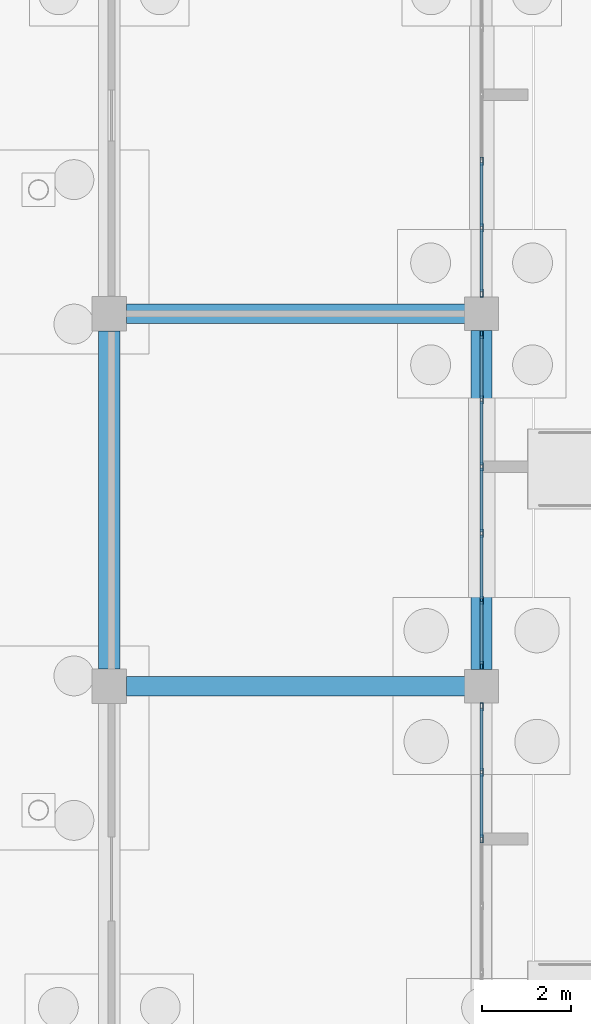
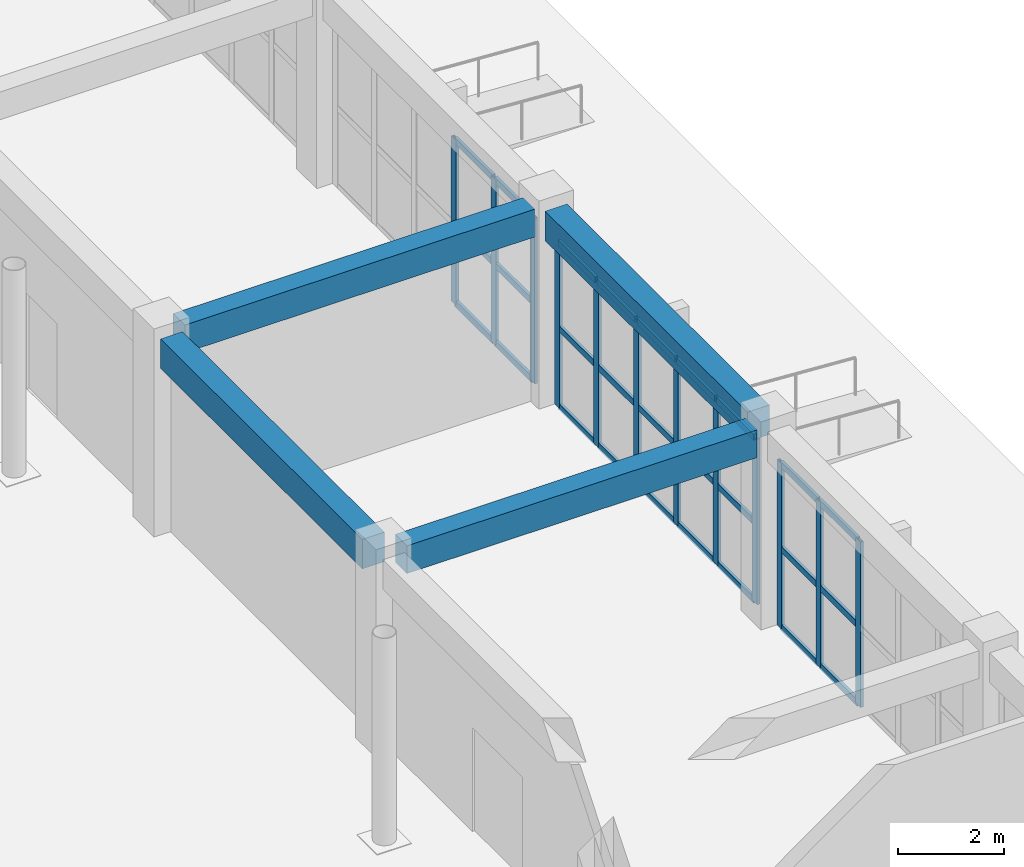
# One storey, part 129 of 192: 39 members, 4 beams, 3 elements without a shape of their own.
"""IFC4 building model written with IfcOpenShell, lengths in metres."""

from ifc_helpers import new_model, si_unit, direction, frame, origin, origin_2d, place, context, subcontext, project, spatial, rectangle, hollow_rectangle, extrude, material, layer, layer_set, material_profile, profile_set, type_object, element, aggregate, save


model = new_model("IFC4")

# Units and contexts
model_context = context("Model", 3, precision=1e-05, world=origin(), true_north=direction((0.0, 1.0)))
body_context = subcontext(model_context, "Body", "Model", "MODEL_VIEW")
ifc_project = project(units=[si_unit("LENGTHUNIT", "METRE"), si_unit("AREAUNIT", "SQUARE_METRE"), si_unit("VOLUMEUNIT", "CUBIC_METRE"), si_unit("PLANEANGLEUNIT", "RADIAN"), si_unit("MASSUNIT", "GRAM", prefix="KILO")], contexts=[model_context])

# Site, building, storey
site_placement = place(None, origin())
site = spatial("IfcSite", under=ifc_project, at=site_placement, CompositionType="ELEMENT")
building_placement = place(site_placement, origin())
building = spatial("IfcBuilding", under=site, at=building_placement, Name="Trelvath General Hospital", CompositionType="ELEMENT")
storey_placement = place(building_placement, origin())
storey = spatial("IfcBuildingStorey", under=building, at=storey_placement, Name="L00", CompositionType="ELEMENT", Elevation=0.0)

# Beams
ifc_material_1 = material(Name="Concrete C35/45", Category="concrete")
ifc_material_profile_1 = material_profile(ifc_material_1, rectangle(XDim=0.43994140625, YDim=0.639892578125, at=origin_2d()), Name="RCB440x640")
ifc_profile_set_1 = profile_set([ifc_material_profile_1], Name="Concrete C35/45")
beam_type_1 = type_object("IfcBeamType", Name="Beam RC440x640", PredefinedType="BEAM", material=ifc_profile_set_1)
for number, where, z_axis, x_axis, name in (
    (1, (176.784912109375, 42.0, 4.199951171875), (1.0, 0.0, 0.0), (0.0, 1.0, 0.0), "Grid Beam BX-021F"),
    (2, (176.784912109375, 50.39990234375, 4.199951171875), (1.0, 0.0, 0.0), (0.0, 1.0, 0.0), "Grid Beam BX-021G"),
):
    element("IfcBeam", number, at=place(storey_placement, frame(where, z_axis=z_axis, x_axis=x_axis)), inside=storey, type_object=beam_type_1, Name=name, PredefinedType="BEAM", context=body_context, shape_type="SweptSolid", body=[
        extrude(rectangle(XDim=0.43994140625, YDim=0.639892578125, at=origin_2d()), origin(), (0.0, 0.0, 1.0), 7.64013671875),
    ])
ifc_material_2 = material(Name="Concrete C35/45", Category="concrete")
ifc_material_profile_2 = material_profile(ifc_material_2, rectangle(XDim=0.47998046875, YDim=0.679931640625, at=origin_2d()), Name="RCB480x680")
ifc_profile_set_2 = profile_set([ifc_material_profile_2], Name="Concrete C35/45")
beam_type_2 = type_object("IfcBeamType", Name="Beam RC480x680", PredefinedType="BEAM", material=ifc_profile_set_2)
beam_1_placement = place(storey_placement, frame((176.39990234375, 42.385009765625, 4.179931640625), z_axis=(0.0, 1.0, 0.0), x_axis=(-1.0, 0.0, 0.0)))
element("IfcBeam", 3, at=beam_1_placement, inside=storey, type_object=beam_type_2, Name="Grid Beam BY-021F", PredefinedType="BEAM", context=body_context, shape_type="SweptSolid", body=[
    extrude(rectangle(XDim=0.47998046875, YDim=0.679931640625, at=origin_2d()), origin(), (0.0, 0.0, 1.0), 7.6298828125),
])
beam_2_placement = place(storey_placement, frame((184.800048828125, 42.375, 4.179931640625), z_axis=(0.0, 1.0, 0.0), x_axis=(-1.0, 0.0, 0.0)))
element("IfcBeam", 4, at=beam_2_placement, inside=storey, type_object=beam_type_2, Name="Grid Beam BY-022F", PredefinedType="BEAM", context=body_context, shape_type="SweptSolid", body=[
    extrude(rectangle(XDim=0.47998046875, YDim=0.679931640625, at=origin_2d()), origin(), (0.0, 0.0, 1.0), 7.64990234375),
])

# Curtain wall, members
ifc_material_3 = material(Name="Anodised aluminium and low-E glass", Category="aluminium")
ifc_layer = layer(ifc_material_3, 0.179931640625)
ifc_layer_set = layer_set([ifc_layer], Name="Anodised aluminium and low-E glass")
curtain_wall_type = type_object("IfcCurtainWallType", Name="CW Facade 753 382 18", PredefinedType="USERDEFINED", material=ifc_layer_set)
curtain_wall_1_placement = place(storey_placement, origin())
curtain_wall_1 = element("IfcCurtainWall", 5, at=curtain_wall_1_placement, inside=storey, type_object=curtain_wall_type, Name="Facade Curtain Wall CW-010", ObjectType="Unitised Glazed Curtain Wall", PredefinedType="USERDEFINED")
ifc_material_4 = material(Name="Anodised aluminium", Category="aluminium")
ifc_material_profile_3 = material_profile(ifc_material_4, hollow_rectangle(XDim=0.06494140625, YDim=0.179931640625, WallThickness=0.0048828125, at=origin_2d()), Name="RHS65x180x5")
ifc_profile_set_3 = profile_set([ifc_material_profile_3], Name="Anodised aluminium")
member_type_1 = type_object("IfcMemberType", Name="CurtainMullion 65x180", PredefinedType="MULLION", material=ifc_profile_set_3)
member_1_placement = place(storey_placement, frame((184.800048828125, 41.532470703125, 0.0), z_axis=(0.0, 0.0, 1.0), x_axis=(1.0, 0.0, 0.0)))
member_1 = element("IfcMember", 6, at=member_1_placement, type_object=member_type_1, Name="CW-010 mullion 1", PredefinedType="MULLION", context=body_context, shape_type="SweptSolid", body=[
    extrude(hollow_rectangle(XDim=0.06494140625, YDim=0.179931640625, WallThickness=0.0048828125, at=origin_2d()), origin(), (0.0, 0.0, 1.0), 3.820068359375),
])
member_2_placement = place(storey_placement, frame((184.800048828125, 40.05908203125, 0.0), z_axis=(0.0, 0.0, 1.0), x_axis=(1.0, 0.0, 0.0)))
member_2 = element("IfcMember", 7, at=member_2_placement, type_object=member_type_1, Name="CW-010 mullion 2", PredefinedType="MULLION", context=body_context, shape_type="SweptSolid", body=[
    extrude(hollow_rectangle(XDim=0.06494140625, YDim=0.179931640625, WallThickness=0.0048828125, at=origin_2d()), origin(), (0.0, 0.0, 1.0), 3.820068359375),
])
member_3_placement = place(storey_placement, frame((184.800048828125, 38.552978515625, 0.0), z_axis=(0.0, 0.0, 1.0), x_axis=(1.0, 0.0, 0.0)))
member_3 = element("IfcMember", 8, at=member_3_placement, type_object=member_type_1, Name="CW-010 mullion 3", PredefinedType="MULLION", context=body_context, shape_type="SweptSolid", body=[
    extrude(hollow_rectangle(XDim=0.06494140625, YDim=0.179931640625, WallThickness=0.0048828125, at=origin_2d()), origin(), (0.0, 0.0, 1.0), 3.820068359375),
])

curtain_wall_2_placement = place(storey_placement, origin())
curtain_wall_2 = element("IfcCurtainWall", 9, at=curtain_wall_2_placement, inside=storey, type_object=curtain_wall_type, Name="Facade Curtain Wall CW-011", ObjectType="Unitised Glazed Curtain Wall", PredefinedType="USERDEFINED")
member_4_placement = place(storey_placement, frame((184.800048828125, 49.9326171875, 0.0), z_axis=(0.0, 0.0, 1.0), x_axis=(1.0, 0.0, 0.0)))
member_4 = element("IfcMember", 10, at=member_4_placement, type_object=member_type_1, Name="CW-011 mullion 1", PredefinedType="MULLION", context=body_context, shape_type="SweptSolid", body=[
    extrude(hollow_rectangle(XDim=0.06494140625, YDim=0.179931640625, WallThickness=0.0048828125, at=origin_2d()), origin(), (0.0, 0.0, 1.0), 3.820068359375),
])
member_5_placement = place(storey_placement, frame((184.800048828125, 48.458984375, 0.0), z_axis=(0.0, 0.0, 1.0), x_axis=(1.0, 0.0, 0.0)))
member_5 = element("IfcMember", 11, at=member_5_placement, type_object=member_type_1, Name="CW-011 mullion 2", PredefinedType="MULLION", context=body_context, shape_type="SweptSolid", body=[
    extrude(hollow_rectangle(XDim=0.06494140625, YDim=0.179931640625, WallThickness=0.0048828125, at=origin_2d()), origin(), (0.0, 0.0, 1.0), 3.820068359375),
])
member_6_placement = place(storey_placement, frame((184.800048828125, 46.952880859375, 0.0), z_axis=(0.0, 0.0, 1.0), x_axis=(1.0, 0.0, 0.0)))
member_6 = element("IfcMember", 12, at=member_6_placement, type_object=member_type_1, Name="CW-011 mullion 3", PredefinedType="MULLION", context=body_context, shape_type="SweptSolid", body=[
    extrude(hollow_rectangle(XDim=0.06494140625, YDim=0.179931640625, WallThickness=0.0048828125, at=origin_2d()), origin(), (0.0, 0.0, 1.0), 3.820068359375),
])
member_7_placement = place(storey_placement, frame((184.800048828125, 45.447021484375, 0.0), z_axis=(0.0, 0.0, 1.0), x_axis=(1.0, 0.0, 0.0)))
member_7 = element("IfcMember", 13, at=member_7_placement, type_object=member_type_1, Name="CW-011 mullion 4", PredefinedType="MULLION", context=body_context, shape_type="SweptSolid", body=[
    extrude(hollow_rectangle(XDim=0.06494140625, YDim=0.179931640625, WallThickness=0.0048828125, at=origin_2d()), origin(), (0.0, 0.0, 1.0), 3.820068359375),
])
member_8_placement = place(storey_placement, frame((184.800048828125, 43.94091796875, 0.0), z_axis=(0.0, 0.0, 1.0), x_axis=(1.0, 0.0, 0.0)))
member_8 = element("IfcMember", 14, at=member_8_placement, type_object=member_type_1, Name="CW-011 mullion 5", PredefinedType="MULLION", context=body_context, shape_type="SweptSolid", body=[
    extrude(hollow_rectangle(XDim=0.06494140625, YDim=0.179931640625, WallThickness=0.0048828125, at=origin_2d()), origin(), (0.0, 0.0, 1.0), 3.820068359375),
])
member_9_placement = place(storey_placement, frame((184.800048828125, 42.467529296875, 0.0), z_axis=(0.0, 0.0, 1.0), x_axis=(1.0, 0.0, 0.0)))
member_9 = element("IfcMember", 15, at=member_9_placement, type_object=member_type_1, Name="CW-011 mullion 6", PredefinedType="MULLION", context=body_context, shape_type="SweptSolid", body=[
    extrude(hollow_rectangle(XDim=0.06494140625, YDim=0.179931640625, WallThickness=0.0048828125, at=origin_2d()), origin(), (0.0, 0.0, 1.0), 3.820068359375),
])

curtain_wall_3_placement = place(storey_placement, origin())
curtain_wall_3 = element("IfcCurtainWall", 16, at=curtain_wall_3_placement, inside=storey, type_object=curtain_wall_type, Name="Facade Curtain Wall CW-012", ObjectType="Unitised Glazed Curtain Wall", PredefinedType="USERDEFINED")
member_10_placement = place(storey_placement, frame((184.800048828125, 53.846923828125, 0.0), z_axis=(0.0, 0.0, 1.0), x_axis=(1.0, 0.0, 0.0)))
member_10 = element("IfcMember", 17, at=member_10_placement, type_object=member_type_1, Name="CW-012 mullion 4", PredefinedType="MULLION", context=body_context, shape_type="SweptSolid", body=[
    extrude(hollow_rectangle(XDim=0.06494140625, YDim=0.179931640625, WallThickness=0.0048828125, at=origin_2d()), origin(), (0.0, 0.0, 1.0), 3.820068359375),
])
member_11_placement = place(storey_placement, frame((184.800048828125, 52.341064453125, 0.0), z_axis=(0.0, 0.0, 1.0), x_axis=(1.0, 0.0, 0.0)))
member_11 = element("IfcMember", 18, at=member_11_placement, type_object=member_type_1, Name="CW-012 mullion 5", PredefinedType="MULLION", context=body_context, shape_type="SweptSolid", body=[
    extrude(hollow_rectangle(XDim=0.06494140625, YDim=0.179931640625, WallThickness=0.0048828125, at=origin_2d()), origin(), (0.0, 0.0, 1.0), 3.820068359375),
])
member_12_placement = place(storey_placement, frame((184.800048828125, 50.867431640625, 0.0), z_axis=(0.0, 0.0, 1.0), x_axis=(1.0, 0.0, 0.0)))
member_12 = element("IfcMember", 19, at=member_12_placement, type_object=member_type_1, Name="CW-012 mullion 6", PredefinedType="MULLION", context=body_context, shape_type="SweptSolid", body=[
    extrude(hollow_rectangle(XDim=0.06494140625, YDim=0.179931640625, WallThickness=0.0048828125, at=origin_2d()), origin(), (0.0, 0.0, 1.0), 3.820068359375),
])

# Member
ifc_material_5 = material(Name="Anodised aluminium", Category="aluminium")
ifc_material_profile_4 = material_profile(ifc_material_5, hollow_rectangle(XDim=0.06494140625, YDim=0.14501953125, WallThickness=0.00390625, at=origin_2d()), Name="RHS65x145x4")
ifc_profile_set_4 = profile_set([ifc_material_profile_4], Name="Anodised aluminium")
member_type_2 = type_object("IfcMemberType", Name="CurtainTransom 65x145", PredefinedType="USERDEFINED", material=ifc_profile_set_4)
member_13_placement = place(storey_placement, frame((184.800048828125, 41.5, 0.032470703125), z_axis=(0.0, -1.0, 0.0), x_axis=(1.0, 0.0, 0.0)))
member_13 = element("IfcMember", 20, at=member_13_placement, type_object=member_type_2, Name="CW-010 transom 1.1", ObjectType="TRANSOM", PredefinedType="USERDEFINED", context=body_context, shape_type="SweptSolid", body=[
    extrude(hollow_rectangle(XDim=0.06494140625, YDim=0.14501953125, WallThickness=0.00390625, at=origin_2d()), origin(), (0.0, 0.0, 1.0), 1.408447265625),
])

member_14_placement = place(storey_placement, frame((184.800048828125, 41.5, 1.833984375), z_axis=(0.0, -1.0, 0.0), x_axis=(1.0, 0.0, 0.0)))
member_14 = element("IfcMember", 21, at=member_14_placement, type_object=member_type_2, Name="CW-010 transom 1.2", ObjectType="TRANSOM", PredefinedType="USERDEFINED", context=body_context, shape_type="SweptSolid", body=[
    extrude(hollow_rectangle(XDim=0.06494140625, YDim=0.14501953125, WallThickness=0.00390625, at=origin_2d()), origin(), (0.0, 0.0, 1.0), 1.408447265625),
])

member_15_placement = place(storey_placement, frame((184.800048828125, 41.5, 3.78759765625), z_axis=(0.0, -1.0, 0.0), x_axis=(1.0, 0.0, 0.0)))
member_15 = element("IfcMember", 22, at=member_15_placement, type_object=member_type_2, Name="CW-010 transom 1.3", ObjectType="TRANSOM", PredefinedType="USERDEFINED", context=body_context, shape_type="SweptSolid", body=[
    extrude(hollow_rectangle(XDim=0.06494140625, YDim=0.14501953125, WallThickness=0.00390625, at=origin_2d()), origin(), (0.0, 0.0, 1.0), 1.408447265625),
])

member_16_placement = place(storey_placement, frame((184.800048828125, 40.026611328125, 0.032470703125), z_axis=(0.0, -1.0, 0.0), x_axis=(1.0, 0.0, 0.0)))
member_16 = element("IfcMember", 23, at=member_16_placement, type_object=member_type_2, Name="CW-010 transom 2.1", ObjectType="TRANSOM", PredefinedType="USERDEFINED", context=body_context, shape_type="SweptSolid", body=[
    extrude(hollow_rectangle(XDim=0.06494140625, YDim=0.14501953125, WallThickness=0.00390625, at=origin_2d()), origin(), (0.0, 0.0, 1.0), 1.441162109375),
])

member_17_placement = place(storey_placement, frame((184.800048828125, 40.026611328125, 1.833984375), z_axis=(0.0, -1.0, 0.0), x_axis=(1.0, 0.0, 0.0)))
member_17 = element("IfcMember", 24, at=member_17_placement, type_object=member_type_2, Name="CW-010 transom 2.2", ObjectType="TRANSOM", PredefinedType="USERDEFINED", context=body_context, shape_type="SweptSolid", body=[
    extrude(hollow_rectangle(XDim=0.06494140625, YDim=0.14501953125, WallThickness=0.00390625, at=origin_2d()), origin(), (0.0, 0.0, 1.0), 1.441162109375),
])

member_18_placement = place(storey_placement, frame((184.800048828125, 40.026611328125, 3.78759765625), z_axis=(0.0, -1.0, 0.0), x_axis=(1.0, 0.0, 0.0)))
member_18 = element("IfcMember", 25, at=member_18_placement, type_object=member_type_2, Name="CW-010 transom 2.3", ObjectType="TRANSOM", PredefinedType="USERDEFINED", context=body_context, shape_type="SweptSolid", body=[
    extrude(hollow_rectangle(XDim=0.06494140625, YDim=0.14501953125, WallThickness=0.00390625, at=origin_2d()), origin(), (0.0, 0.0, 1.0), 1.441162109375),
])

aggregate(curtain_wall_1, [member_1, member_2, member_3, member_13, member_14, member_15, member_16, member_17, member_18])

member_19_placement = place(storey_placement, frame((184.800048828125, 49.89990234375, 0.032470703125), z_axis=(0.0, -1.0, 0.0), x_axis=(1.0, 0.0, 0.0)))
member_19 = element("IfcMember", 26, at=member_19_placement, type_object=member_type_2, Name="CW-011 transom 1.1", ObjectType="TRANSOM", PredefinedType="USERDEFINED", context=body_context, shape_type="SweptSolid", body=[
    extrude(hollow_rectangle(XDim=0.06494140625, YDim=0.14501953125, WallThickness=0.00390625, at=origin_2d()), origin(), (0.0, 0.0, 1.0), 1.408447265625),
])

member_20_placement = place(storey_placement, frame((184.800048828125, 49.89990234375, 1.833984375), z_axis=(0.0, -1.0, 0.0), x_axis=(1.0, 0.0, 0.0)))
member_20 = element("IfcMember", 27, at=member_20_placement, type_object=member_type_2, Name="CW-011 transom 1.2", ObjectType="TRANSOM", PredefinedType="USERDEFINED", context=body_context, shape_type="SweptSolid", body=[
    extrude(hollow_rectangle(XDim=0.06494140625, YDim=0.14501953125, WallThickness=0.00390625, at=origin_2d()), origin(), (0.0, 0.0, 1.0), 1.408447265625),
])

member_21_placement = place(storey_placement, frame((184.800048828125, 49.89990234375, 3.78759765625), z_axis=(0.0, -1.0, 0.0), x_axis=(1.0, 0.0, 0.0)))
member_21 = element("IfcMember", 28, at=member_21_placement, type_object=member_type_2, Name="CW-011 transom 1.3", ObjectType="TRANSOM", PredefinedType="USERDEFINED", context=body_context, shape_type="SweptSolid", body=[
    extrude(hollow_rectangle(XDim=0.06494140625, YDim=0.14501953125, WallThickness=0.00390625, at=origin_2d()), origin(), (0.0, 0.0, 1.0), 1.408447265625),
])

member_22_placement = place(storey_placement, frame((184.800048828125, 48.426513671875, 0.032470703125), z_axis=(0.0, -1.0, 0.0), x_axis=(1.0, 0.0, 0.0)))
member_22 = element("IfcMember", 29, at=member_22_placement, type_object=member_type_2, Name="CW-011 transom 2.1", ObjectType="TRANSOM", PredefinedType="USERDEFINED", context=body_context, shape_type="SweptSolid", body=[
    extrude(hollow_rectangle(XDim=0.06494140625, YDim=0.14501953125, WallThickness=0.00390625, at=origin_2d()), origin(), (0.0, 0.0, 1.0), 1.44091796875),
])

member_23_placement = place(storey_placement, frame((184.800048828125, 48.426513671875, 1.833984375), z_axis=(0.0, -1.0, 0.0), x_axis=(1.0, 0.0, 0.0)))
member_23 = element("IfcMember", 30, at=member_23_placement, type_object=member_type_2, Name="CW-011 transom 2.2", ObjectType="TRANSOM", PredefinedType="USERDEFINED", context=body_context, shape_type="SweptSolid", body=[
    extrude(hollow_rectangle(XDim=0.06494140625, YDim=0.14501953125, WallThickness=0.00390625, at=origin_2d()), origin(), (0.0, 0.0, 1.0), 1.44091796875),
])

member_24_placement = place(storey_placement, frame((184.800048828125, 48.426513671875, 3.78759765625), z_axis=(0.0, -1.0, 0.0), x_axis=(1.0, 0.0, 0.0)))
member_24 = element("IfcMember", 31, at=member_24_placement, type_object=member_type_2, Name="CW-011 transom 2.3", ObjectType="TRANSOM", PredefinedType="USERDEFINED", context=body_context, shape_type="SweptSolid", body=[
    extrude(hollow_rectangle(XDim=0.06494140625, YDim=0.14501953125, WallThickness=0.00390625, at=origin_2d()), origin(), (0.0, 0.0, 1.0), 1.44091796875),
])

member_25_placement = place(storey_placement, frame((184.800048828125, 46.92041015625, 0.032470703125), z_axis=(0.0, -1.0, 0.0), x_axis=(1.0, 0.0, 0.0)))
member_25 = element("IfcMember", 32, at=member_25_placement, type_object=member_type_2, Name="CW-011 transom 3.1", ObjectType="TRANSOM", PredefinedType="USERDEFINED", context=body_context, shape_type="SweptSolid", body=[
    extrude(hollow_rectangle(XDim=0.06494140625, YDim=0.14501953125, WallThickness=0.00390625, at=origin_2d()), origin(), (0.0, 0.0, 1.0), 1.44091796875),
])

member_26_placement = place(storey_placement, frame((184.800048828125, 46.92041015625, 1.833984375), z_axis=(0.0, -1.0, 0.0), x_axis=(1.0, 0.0, 0.0)))
member_26 = element("IfcMember", 33, at=member_26_placement, type_object=member_type_2, Name="CW-011 transom 3.2", ObjectType="TRANSOM", PredefinedType="USERDEFINED", context=body_context, shape_type="SweptSolid", body=[
    extrude(hollow_rectangle(XDim=0.06494140625, YDim=0.14501953125, WallThickness=0.00390625, at=origin_2d()), origin(), (0.0, 0.0, 1.0), 1.44091796875),
])

member_27_placement = place(storey_placement, frame((184.800048828125, 46.92041015625, 3.78759765625), z_axis=(0.0, -1.0, 0.0), x_axis=(1.0, 0.0, 0.0)))
member_27 = element("IfcMember", 34, at=member_27_placement, type_object=member_type_2, Name="CW-011 transom 3.3", ObjectType="TRANSOM", PredefinedType="USERDEFINED", context=body_context, shape_type="SweptSolid", body=[
    extrude(hollow_rectangle(XDim=0.06494140625, YDim=0.14501953125, WallThickness=0.00390625, at=origin_2d()), origin(), (0.0, 0.0, 1.0), 1.44091796875),
])

member_28_placement = place(storey_placement, frame((184.800048828125, 45.41455078125, 0.032470703125), z_axis=(0.0, -1.0, 0.0), x_axis=(1.0, 0.0, 0.0)))
member_28 = element("IfcMember", 35, at=member_28_placement, type_object=member_type_2, Name="CW-011 transom 4.1", ObjectType="TRANSOM", PredefinedType="USERDEFINED", context=body_context, shape_type="SweptSolid", body=[
    extrude(hollow_rectangle(XDim=0.06494140625, YDim=0.14501953125, WallThickness=0.00390625, at=origin_2d()), origin(), (0.0, 0.0, 1.0), 1.441162109375),
])

member_29_placement = place(storey_placement, frame((184.800048828125, 45.41455078125, 1.833984375), z_axis=(0.0, -1.0, 0.0), x_axis=(1.0, 0.0, 0.0)))
member_29 = element("IfcMember", 36, at=member_29_placement, type_object=member_type_2, Name="CW-011 transom 4.2", ObjectType="TRANSOM", PredefinedType="USERDEFINED", context=body_context, shape_type="SweptSolid", body=[
    extrude(hollow_rectangle(XDim=0.06494140625, YDim=0.14501953125, WallThickness=0.00390625, at=origin_2d()), origin(), (0.0, 0.0, 1.0), 1.441162109375),
])

member_30_placement = place(storey_placement, frame((184.800048828125, 45.41455078125, 3.78759765625), z_axis=(0.0, -1.0, 0.0), x_axis=(1.0, 0.0, 0.0)))
member_30 = element("IfcMember", 37, at=member_30_placement, type_object=member_type_2, Name="CW-011 transom 4.3", ObjectType="TRANSOM", PredefinedType="USERDEFINED", context=body_context, shape_type="SweptSolid", body=[
    extrude(hollow_rectangle(XDim=0.06494140625, YDim=0.14501953125, WallThickness=0.00390625, at=origin_2d()), origin(), (0.0, 0.0, 1.0), 1.441162109375),
])

member_31_placement = place(storey_placement, frame((184.800048828125, 43.908447265625, 0.032470703125), z_axis=(0.0, -1.0, 0.0), x_axis=(1.0, 0.0, 0.0)))
member_31 = element("IfcMember", 38, at=member_31_placement, type_object=member_type_2, Name="CW-011 transom 5.1", ObjectType="TRANSOM", PredefinedType="USERDEFINED", context=body_context, shape_type="SweptSolid", body=[
    extrude(hollow_rectangle(XDim=0.06494140625, YDim=0.14501953125, WallThickness=0.00390625, at=origin_2d()), origin(), (0.0, 0.0, 1.0), 1.408447265625),
])

member_32_placement = place(storey_placement, frame((184.800048828125, 43.908447265625, 1.833984375), z_axis=(0.0, -1.0, 0.0), x_axis=(1.0, 0.0, 0.0)))
member_32 = element("IfcMember", 39, at=member_32_placement, type_object=member_type_2, Name="CW-011 transom 5.2", ObjectType="TRANSOM", PredefinedType="USERDEFINED", context=body_context, shape_type="SweptSolid", body=[
    extrude(hollow_rectangle(XDim=0.06494140625, YDim=0.14501953125, WallThickness=0.00390625, at=origin_2d()), origin(), (0.0, 0.0, 1.0), 1.408447265625),
])

member_33_placement = place(storey_placement, frame((184.800048828125, 43.908447265625, 3.78759765625), z_axis=(0.0, -1.0, 0.0), x_axis=(1.0, 0.0, 0.0)))
member_33 = element("IfcMember", 40, at=member_33_placement, type_object=member_type_2, Name="CW-011 transom 5.3", ObjectType="TRANSOM", PredefinedType="USERDEFINED", context=body_context, shape_type="SweptSolid", body=[
    extrude(hollow_rectangle(XDim=0.06494140625, YDim=0.14501953125, WallThickness=0.00390625, at=origin_2d()), origin(), (0.0, 0.0, 1.0), 1.408447265625),
])

aggregate(curtain_wall_2, [member_4, member_5, member_6, member_7, member_8, member_9, member_19, member_20, member_21, member_22, member_23, member_24, member_25, member_26, member_27, member_28, member_29, member_30, member_31, member_32, member_33])

member_34_placement = place(storey_placement, frame((184.800048828125, 53.814453125, 0.032470703125), z_axis=(0.0, -1.0, 0.0), x_axis=(1.0, 0.0, 0.0)))
member_34 = element("IfcMember", 41, at=member_34_placement, type_object=member_type_2, Name="CW-012 transom 4.1", ObjectType="TRANSOM", PredefinedType="USERDEFINED", context=body_context, shape_type="SweptSolid", body=[
    extrude(hollow_rectangle(XDim=0.06494140625, YDim=0.14501953125, WallThickness=0.00390625, at=origin_2d()), origin(), (0.0, 0.0, 1.0), 1.44091796875),
])

member_35_placement = place(storey_placement, frame((184.800048828125, 53.814453125, 1.833984375), z_axis=(0.0, -1.0, 0.0), x_axis=(1.0, 0.0, 0.0)))
member_35 = element("IfcMember", 42, at=member_35_placement, type_object=member_type_2, Name="CW-012 transom 4.2", ObjectType="TRANSOM", PredefinedType="USERDEFINED", context=body_context, shape_type="SweptSolid", body=[
    extrude(hollow_rectangle(XDim=0.06494140625, YDim=0.14501953125, WallThickness=0.00390625, at=origin_2d()), origin(), (0.0, 0.0, 1.0), 1.44091796875),
])

member_36_placement = place(storey_placement, frame((184.800048828125, 53.814453125, 3.78759765625), z_axis=(0.0, -1.0, 0.0), x_axis=(1.0, 0.0, 0.0)))
member_36 = element("IfcMember", 43, at=member_36_placement, type_object=member_type_2, Name="CW-012 transom 4.3", ObjectType="TRANSOM", PredefinedType="USERDEFINED", context=body_context, shape_type="SweptSolid", body=[
    extrude(hollow_rectangle(XDim=0.06494140625, YDim=0.14501953125, WallThickness=0.00390625, at=origin_2d()), origin(), (0.0, 0.0, 1.0), 1.44091796875),
])

member_37_placement = place(storey_placement, frame((184.800048828125, 52.30859375, 0.032470703125), z_axis=(0.0, -1.0, 0.0), x_axis=(1.0, 0.0, 0.0)))
member_37 = element("IfcMember", 44, at=member_37_placement, type_object=member_type_2, Name="CW-012 transom 5.1", ObjectType="TRANSOM", PredefinedType="USERDEFINED", context=body_context, shape_type="SweptSolid", body=[
    extrude(hollow_rectangle(XDim=0.06494140625, YDim=0.14501953125, WallThickness=0.00390625, at=origin_2d()), origin(), (0.0, 0.0, 1.0), 1.40869140625),
])

member_38_placement = place(storey_placement, frame((184.800048828125, 52.30859375, 1.833984375), z_axis=(0.0, -1.0, 0.0), x_axis=(1.0, 0.0, 0.0)))
member_38 = element("IfcMember", 45, at=member_38_placement, type_object=member_type_2, Name="CW-012 transom 5.2", ObjectType="TRANSOM", PredefinedType="USERDEFINED", context=body_context, shape_type="SweptSolid", body=[
    extrude(hollow_rectangle(XDim=0.06494140625, YDim=0.14501953125, WallThickness=0.00390625, at=origin_2d()), origin(), (0.0, 0.0, 1.0), 1.40869140625),
])

member_39_placement = place(storey_placement, frame((184.800048828125, 52.30859375, 3.78759765625), z_axis=(0.0, -1.0, 0.0), x_axis=(1.0, 0.0, 0.0)))
member_39 = element("IfcMember", 46, at=member_39_placement, type_object=member_type_2, Name="CW-012 transom 5.3", ObjectType="TRANSOM", PredefinedType="USERDEFINED", context=body_context, shape_type="SweptSolid", body=[
    extrude(hollow_rectangle(XDim=0.06494140625, YDim=0.14501953125, WallThickness=0.00390625, at=origin_2d()), origin(), (0.0, 0.0, 1.0), 1.40869140625),
])

aggregate(curtain_wall_3, [member_10, member_11, member_12, member_34, member_35, member_36, member_37, member_38, member_39])

save(model, "model.ifc")
